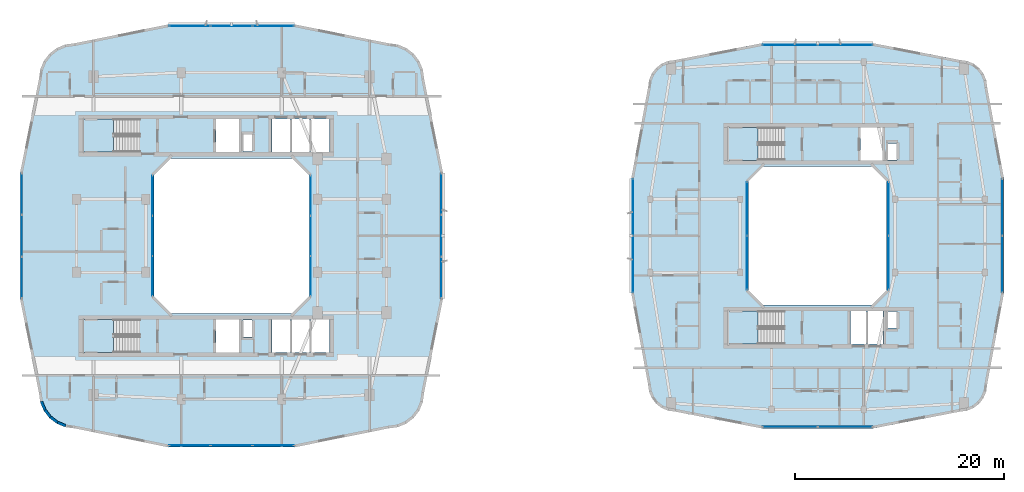
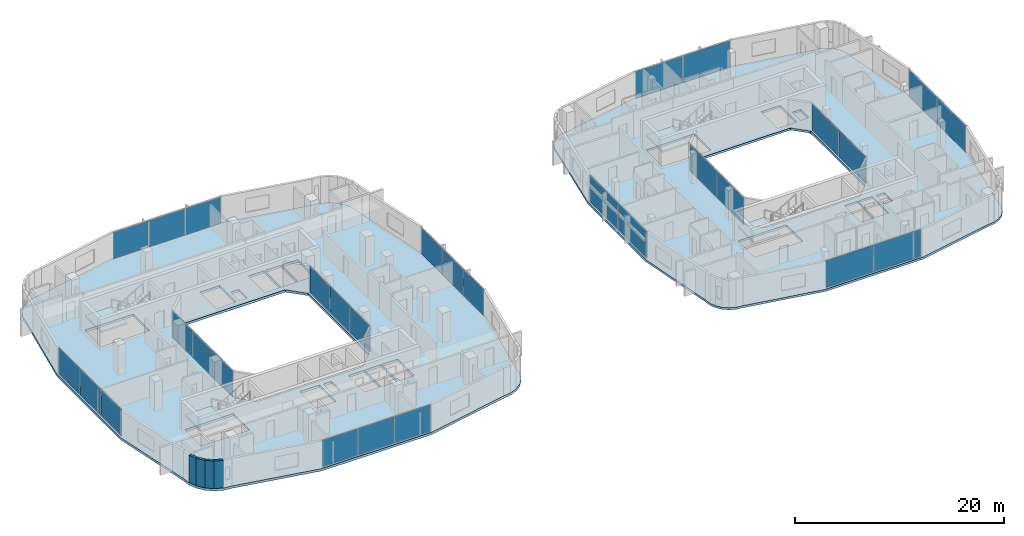
# One storey, part 11 of 26: 30 plates, 6 slabs, 4 walls, 16 elements without a shape of their own.
"""IFC4 building model written with IfcOpenShell, lengths in metres."""

from ifc_helpers import new_model, si_unit, derived_unit, direction, frame, frame_2d, origin, origin_2d, place, context, subcontext, project, spatial, polyline, rectangle, outline, extrude, material, layer, layer_set, type_object, element, aggregate, save


model = new_model("IFC4")

# Units and contexts
model_context = context("Model", 3, precision=1e-05, world=origin(), true_north=direction((0.0, 1.0)))
body_context = subcontext(model_context, "Body", "Model", "MODEL_VIEW")
ifc_project = project(units=[si_unit("LENGTHUNIT", "METRE"), si_unit("AREAUNIT", "SQUARE_METRE"), si_unit("VOLUMEUNIT", "CUBIC_METRE"), si_unit("PLANEANGLEUNIT", "RADIAN"), si_unit("MASSUNIT", "GRAM", prefix="KILO"), derived_unit("THERMALTRANSMITTANCEUNIT", [(si_unit("POWERUNIT", "WATT"), 1), (si_unit("LENGTHUNIT", "METRE"), -2), (si_unit("THERMODYNAMICTEMPERATUREUNIT", "KELVIN"), -1)])], contexts=[model_context])

# Site, building, storey
site_placement = place(None, origin())
site = spatial("IfcSite", under=ifc_project, at=site_placement, CompositionType="ELEMENT")
building_placement = place(site_placement, origin())
building = spatial("IfcBuilding", under=site, at=building_placement, Name="Kivonza Crest Hotel", CompositionType="ELEMENT")
storey_placement = place(building_placement, frame((0.0, 0.0, 127.5)))
storey = spatial("IfcBuildingStorey", under=building, at=storey_placement, Name="L34", CompositionType="ELEMENT", Elevation=127.5)

# Curtain wall, plates
ifc_material_1 = material(Name="Anodised bronze aluminium and low-E double glazing", Category="aluminium")
ifc_layer_1 = layer(ifc_material_1, 0.159912109375)
ifc_layer_set_1 = layer_set([ifc_layer_1], Name="Anodised bronze aluminium and low-E double glazing")
curtain_wall_type_1 = type_object("IfcCurtainWallType", Name="CW-SYS-5", PredefinedType="NOTDEFINED", material=ifc_layer_set_1)
curtain_wall_1_placement = place(storey_placement, origin())
curtain_wall_1 = element("IfcCurtainWall", 1, at=curtain_wall_1_placement, inside=storey, type_object=curtain_wall_type_1, Name="L34 unitised curtain wall CW-WELL-T1-L34-3", PredefinedType="NOTDEFINED")
ifc_material_2 = material(Name="Solar-control low-E double glazing", Category="glass")
ifc_layer_2 = layer(ifc_material_2, 0.028076171875)
ifc_layer_set_2 = layer_set([ifc_layer_2], Name="Solar-control low-E double glazing")
plate_type_1 = type_object("IfcPlateType", Name="CW-PNL-28", PredefinedType="CURTAIN_PANEL", material=ifc_layer_set_2)
plate_1_placement = place(storey_placement, frame((28.56005859375, 21.149658203125, 0.06494140625), z_axis=(0.0, 0.0, 1.0), x_axis=(0.0, 1.0, 0.0)))
plate_1 = element("IfcPlate", 2, at=plate_1_placement, type_object=plate_type_1, Name="CW-5 panel 1.1", PredefinedType="CURTAIN_PANEL", context=body_context, shape_type="SweptSolid", body=[
    extrude(rectangle(XDim=3.769287109375, YDim=0.028076171875, at=origin_2d()), origin(), (0.0, 0.0, 1.0), 3.090087890625),
])
plate_2_placement = place(storey_placement, frame((28.56005859375, 25.0, 0.06494140625), z_axis=(0.0, 0.0, 1.0), x_axis=(0.0, 1.0, 0.0)))
plate_2 = element("IfcPlate", 3, at=plate_2_placement, type_object=plate_type_1, Name="CW-5 panel 2.1", PredefinedType="CURTAIN_PANEL", context=body_context, shape_type="SweptSolid", body=[
    extrude(rectangle(XDim=3.8017578125, YDim=0.028076171875, at=origin_2d()), origin(), (0.0, 0.0, 1.0), 3.090087890625),
])
plate_3_placement = place(storey_placement, frame((28.56005859375, 28.850341796875, 0.06494140625), z_axis=(0.0, 0.0, 1.0), x_axis=(0.0, 1.0, 0.0)))
plate_3 = element("IfcPlate", 4, at=plate_3_placement, type_object=plate_type_1, Name="CW-5 panel 3.1", PredefinedType="CURTAIN_PANEL", context=body_context, shape_type="SweptSolid", body=[
    extrude(rectangle(XDim=3.769287109375, YDim=0.028076171875, at=origin_2d()), origin(), (0.0, 0.0, 1.0), 3.090087890625),
])
aggregate(curtain_wall_1, [plate_1, plate_2, plate_3])

curtain_wall_2_placement = place(storey_placement, origin())
curtain_wall_2 = element("IfcCurtainWall", 5, at=curtain_wall_2_placement, inside=storey, type_object=curtain_wall_type_1, Name="L34 unitised curtain wall CW-WELL-T1-L34-7", PredefinedType="NOTDEFINED")
plate_4_placement = place(storey_placement, frame((13.43994140625, 28.850341796875, 0.06494140625), z_axis=(0.0, 0.0, 1.0), x_axis=(0.0, -1.0, 0.0)))
plate_4 = element("IfcPlate", 6, at=plate_4_placement, type_object=plate_type_1, Name="CW-5 panel 1.1", PredefinedType="CURTAIN_PANEL", context=body_context, shape_type="SweptSolid", body=[
    extrude(rectangle(XDim=3.769287109375, YDim=0.028076171875, at=origin_2d()), origin(), (0.0, 0.0, 1.0), 3.090087890625),
])
plate_5_placement = place(storey_placement, frame((13.43994140625, 25.0, 0.06494140625), z_axis=(0.0, 0.0, 1.0), x_axis=(0.0, -1.0, 0.0)))
plate_5 = element("IfcPlate", 7, at=plate_5_placement, type_object=plate_type_1, Name="CW-5 panel 2.1", PredefinedType="CURTAIN_PANEL", context=body_context, shape_type="SweptSolid", body=[
    extrude(rectangle(XDim=3.8017578125, YDim=0.028076171875, at=origin_2d()), origin(), (0.0, 0.0, 1.0), 3.090087890625),
])
plate_6_placement = place(storey_placement, frame((13.43994140625, 21.149658203125, 0.06494140625), z_axis=(0.0, 0.0, 1.0), x_axis=(0.0, -1.0, 0.0)))
plate_6 = element("IfcPlate", 8, at=plate_6_placement, type_object=plate_type_1, Name="CW-5 panel 3.1", PredefinedType="CURTAIN_PANEL", context=body_context, shape_type="SweptSolid", body=[
    extrude(rectangle(XDim=3.769287109375, YDim=0.028076171875, at=origin_2d()), origin(), (0.0, 0.0, 1.0), 3.090087890625),
])
aggregate(curtain_wall_2, [plate_4, plate_5, plate_6])

ifc_layer_3 = layer(ifc_material_1, 0.179931640625)
ifc_layer_set_3 = layer_set([ifc_layer_3], Name="Anodised bronze aluminium and low-E double glazing")
curtain_wall_type_2 = type_object("IfcCurtainWallType", Name="CW-SYS-4", PredefinedType="NOTDEFINED", material=ifc_layer_set_3)
curtain_wall_3_placement = place(storey_placement, origin())
curtain_wall_3 = element("IfcCurtainWall", 9, at=curtain_wall_3_placement, inside=storey, type_object=curtain_wall_type_2, Name="L34 unitised curtain wall CW-T2-L34-08", PredefinedType="NOTDEFINED")
plate_7_placement = place(storey_placement, frame((74.3662109375, 6.760009765625, 0.06494140625), z_axis=(0.0, 0.0, 1.0), x_axis=(1.0, 0.0, 0.0)))
plate_7 = element("IfcPlate", 10, at=plate_7_placement, type_object=plate_type_1, Name="CW-4 panel 1.1", PredefinedType="CURTAIN_PANEL", context=body_context, shape_type="SweptSolid", body=[
    extrude(rectangle(XDim=5.202392578125, YDim=0.028076171875, at=origin_2d()), origin(), (0.0, 0.0, 1.0), 3.1201171875),
])
plate_8_placement = place(storey_placement, frame((79.6337890625, 6.760009765625, 0.06494140625), z_axis=(0.0, 0.0, 1.0), x_axis=(1.0, 0.0, 0.0)))
plate_8 = element("IfcPlate", 11, at=plate_8_placement, type_object=plate_type_1, Name="CW-4 panel 2.1", PredefinedType="CURTAIN_PANEL", context=body_context, shape_type="SweptSolid", body=[
    extrude(rectangle(XDim=5.202392578125, YDim=0.028076171875, at=origin_2d()), origin(), (0.0, 0.0, 1.0), 3.1201171875),
])
aggregate(curtain_wall_3, [plate_7, plate_8])

curtain_wall_4_placement = place(storey_placement, origin())
curtain_wall_4 = element("IfcCurtainWall", 12, at=curtain_wall_4_placement, inside=storey, type_object=curtain_wall_type_2, Name="L34 unitised curtain wall CW-T2-L34-17", PredefinedType="NOTDEFINED")
plate_9_placement = place(storey_placement, frame((94.639892578125, 22.2763671875, 0.06494140625), z_axis=(0.0, 0.0, 1.0), x_axis=(0.0, 1.0, 0.0)))
plate_9 = element("IfcPlate", 13, at=plate_9_placement, type_object=plate_type_1, Name="CW-4 panel 1.1", PredefinedType="CURTAIN_PANEL", context=body_context, shape_type="SweptSolid", body=[
    extrude(rectangle(XDim=5.382568359375, YDim=0.028076171875, at=origin_2d()), origin(), (0.0, 0.0, 1.0), 3.1201171875),
])
plate_10_placement = place(storey_placement, frame((94.639892578125, 27.7236328125, 0.06494140625), z_axis=(0.0, 0.0, 1.0), x_axis=(0.0, 1.0, 0.0)))
plate_10 = element("IfcPlate", 14, at=plate_10_placement, type_object=plate_type_1, Name="CW-4 panel 2.1", PredefinedType="CURTAIN_PANEL", context=body_context, shape_type="SweptSolid", body=[
    extrude(rectangle(XDim=5.382568359375, YDim=0.028076171875, at=origin_2d()), origin(), (0.0, 0.0, 1.0), 3.1201171875),
])
aggregate(curtain_wall_4, [plate_9, plate_10])

curtain_wall_5_placement = place(storey_placement, origin())
curtain_wall_5 = element("IfcCurtainWall", 15, at=curtain_wall_5_placement, inside=storey, type_object=curtain_wall_type_2, Name="L34 unitised curtain wall CW-T2-L34-26", PredefinedType="NOTDEFINED")
plate_11_placement = place(storey_placement, frame((79.6337890625, 43.239990234375, 0.06494140625), z_axis=(0.0, 0.0, 1.0), x_axis=(-1.0, 0.0, 0.0)))
plate_11 = element("IfcPlate", 16, at=plate_11_placement, type_object=plate_type_1, Name="CW-4 panel 1.1", PredefinedType="CURTAIN_PANEL", context=body_context, shape_type="SweptSolid", body=[
    extrude(rectangle(XDim=5.202392578125, YDim=0.028076171875, at=origin_2d()), origin(), (0.0, 0.0, 1.0), 3.1201171875),
])
plate_12_placement = place(storey_placement, frame((74.3662109375, 43.239990234375, 0.06494140625), z_axis=(0.0, 0.0, 1.0), x_axis=(-1.0, 0.0, 0.0)))
plate_12 = element("IfcPlate", 17, at=plate_12_placement, type_object=plate_type_1, Name="CW-4 panel 2.1", PredefinedType="CURTAIN_PANEL", context=body_context, shape_type="SweptSolid", body=[
    extrude(rectangle(XDim=5.202392578125, YDim=0.028076171875, at=origin_2d()), origin(), (0.0, 0.0, 1.0), 3.1201171875),
])
aggregate(curtain_wall_5, [plate_11, plate_12])

curtain_wall_6_placement = place(storey_placement, origin())
curtain_wall_6 = element("IfcCurtainWall", 18, at=curtain_wall_6_placement, inside=storey, type_object=curtain_wall_type_2, Name="L34 unitised curtain wall CW-T2-L34-35", PredefinedType="NOTDEFINED")
plate_13_placement = place(storey_placement, frame((59.360107421875, 27.7236328125, 0.06494140625), z_axis=(0.0, 0.0, 1.0), x_axis=(0.0, -1.0, 0.0)))
plate_13 = element("IfcPlate", 19, at=plate_13_placement, type_object=plate_type_1, Name="CW-4 panel 1.1", PredefinedType="CURTAIN_PANEL", context=body_context, shape_type="SweptSolid", body=[
    extrude(rectangle(XDim=5.382568359375, YDim=0.028076171875, at=origin_2d()), origin(), (0.0, 0.0, 1.0), 3.1201171875),
])
plate_14_placement = place(storey_placement, frame((59.360107421875, 22.2763671875, 0.06494140625), z_axis=(0.0, 0.0, 1.0), x_axis=(0.0, -1.0, 0.0)))
plate_14 = element("IfcPlate", 20, at=plate_14_placement, type_object=plate_type_1, Name="CW-4 panel 2.1", PredefinedType="CURTAIN_PANEL", context=body_context, shape_type="SweptSolid", body=[
    extrude(rectangle(XDim=5.382568359375, YDim=0.028076171875, at=origin_2d()), origin(), (0.0, 0.0, 1.0), 3.1201171875),
])
aggregate(curtain_wall_6, [plate_13, plate_14])

curtain_wall_7_placement = place(storey_placement, origin())
curtain_wall_7 = element("IfcCurtainWall", 21, at=curtain_wall_7_placement, inside=storey, type_object=curtain_wall_type_1, Name="L34 unitised curtain wall CW-WELL-T2-L34-3", PredefinedType="NOTDEFINED")
plate_15_placement = place(storey_placement, frame((83.760009765625, 22.416259765625, 0.06494140625), z_axis=(0.0, 0.0, 1.0), x_axis=(0.0, 1.0, 0.0)))
plate_15 = element("IfcPlate", 22, at=plate_15_placement, type_object=plate_type_1, Name="CW-5 panel 1.1", PredefinedType="CURTAIN_PANEL", context=body_context, shape_type="SweptSolid", body=[
    extrude(rectangle(XDim=5.1025390625, YDim=0.028076171875, at=origin_2d()), origin(), (0.0, 0.0, 1.0), 3.1201171875),
])
plate_16_placement = place(storey_placement, frame((83.760009765625, 27.583740234375, 0.06494140625), z_axis=(0.0, 0.0, 1.0), x_axis=(0.0, 1.0, 0.0)))
plate_16 = element("IfcPlate", 23, at=plate_16_placement, type_object=plate_type_1, Name="CW-5 panel 2.1", PredefinedType="CURTAIN_PANEL", context=body_context, shape_type="SweptSolid", body=[
    extrude(rectangle(XDim=5.1025390625, YDim=0.028076171875, at=origin_2d()), origin(), (0.0, 0.0, 1.0), 3.1201171875),
])
aggregate(curtain_wall_7, [plate_15, plate_16])

curtain_wall_8_placement = place(storey_placement, origin())
curtain_wall_8 = element("IfcCurtainWall", 24, at=curtain_wall_8_placement, inside=storey, type_object=curtain_wall_type_1, Name="L34 unitised curtain wall CW-WELL-T2-L34-7", PredefinedType="NOTDEFINED")
plate_17_placement = place(storey_placement, frame((70.239990234375, 27.583740234375, 0.06494140625), z_axis=(0.0, 0.0, 1.0), x_axis=(0.0, -1.0, 0.0)))
plate_17 = element("IfcPlate", 25, at=plate_17_placement, type_object=plate_type_1, Name="CW-5 panel 1.1", PredefinedType="CURTAIN_PANEL", context=body_context, shape_type="SweptSolid", body=[
    extrude(rectangle(XDim=5.1025390625, YDim=0.028076171875, at=origin_2d()), origin(), (0.0, 0.0, 1.0), 3.1201171875),
])
plate_18_placement = place(storey_placement, frame((70.239990234375, 22.416259765625, 0.06494140625), z_axis=(0.0, 0.0, 1.0), x_axis=(0.0, -1.0, 0.0)))
plate_18 = element("IfcPlate", 26, at=plate_18_placement, type_object=plate_type_1, Name="CW-5 panel 2.1", PredefinedType="CURTAIN_PANEL", context=body_context, shape_type="SweptSolid", body=[
    extrude(rectangle(XDim=5.1025390625, YDim=0.028076171875, at=origin_2d()), origin(), (0.0, 0.0, 1.0), 3.1201171875),
])
aggregate(curtain_wall_8, [plate_17, plate_18])

ifc_layer_4 = layer(ifc_material_1, 0.179931640625)
ifc_layer_set_4 = layer_set([ifc_layer_4], Name="Anodised bronze aluminium and low-E double glazing")
curtain_wall_type_3 = type_object("IfcCurtainWallType", Name="CW-SYS-3", PredefinedType="NOTDEFINED", material=ifc_layer_set_4)
curtain_wall_9_placement = place(storey_placement, origin())
curtain_wall_9 = element("IfcCurtainWall", 27, at=curtain_wall_9_placement, inside=storey, type_object=curtain_wall_type_3, Name="L34 unitised curtain wall CW-T1-L34-08", PredefinedType="NOTDEFINED")
ifc_material_3 = material(Name="Acoustic triple-laminated low-E glazing", Category="glass")
ifc_layer_5 = layer(ifc_material_3, 0.035888671875)
ifc_layer_set_5 = layer_set([ifc_layer_5], Name="Acoustic triple-laminated low-E glazing")
plate_type_2 = type_object("IfcPlateType", Name="CW-PNL-36", PredefinedType="CURTAIN_PANEL", material=ifc_layer_set_5)
plate_19_placement = place(storey_placement, frame((17.00537109375, 4.9599609375, 0.0751953125), z_axis=(0.0, 0.0, 1.0), x_axis=(1.0, 0.0, 0.0)))
plate_19 = element("IfcPlate", 28, at=plate_19_placement, type_object=plate_type_2, Name="CW-3 panel 1.1", PredefinedType="CURTAIN_PANEL", context=body_context, shape_type="SweptSolid", body=[
    extrude(rectangle(XDim=3.90087890625, YDim=0.035888671875, at=origin_2d()), origin(), (0.0, 0.0, 1.0), 3.070068359375),
])
plate_20_placement = place(storey_placement, frame((21.0, 4.9599609375, 0.0751953125), z_axis=(0.0, 0.0, 1.0), x_axis=(1.0, 0.0, 0.0)))
plate_20 = element("IfcPlate", 29, at=plate_20_placement, type_object=plate_type_2, Name="CW-3 panel 2.1", PredefinedType="CURTAIN_PANEL", context=body_context, shape_type="SweptSolid", body=[
    extrude(rectangle(XDim=3.938232421875, YDim=0.035888671875, at=origin_2d()), origin(), (0.0, 0.0, 1.0), 3.070068359375),
])
plate_21_placement = place(storey_placement, frame((24.99462890625, 4.9599609375, 0.0751953125), z_axis=(0.0, 0.0, 1.0), x_axis=(1.0, 0.0, 0.0)))
plate_21 = element("IfcPlate", 30, at=plate_21_placement, type_object=plate_type_2, Name="CW-3 panel 3.1", PredefinedType="CURTAIN_PANEL", context=body_context, shape_type="SweptSolid", body=[
    extrude(rectangle(XDim=3.90087890625, YDim=0.035888671875, at=origin_2d()), origin(), (0.0, 0.0, 1.0), 3.070068359375),
])
aggregate(curtain_wall_9, [plate_19, plate_20, plate_21])

curtain_wall_10_placement = place(storey_placement, origin())
curtain_wall_10 = element("IfcCurtainWall", 31, at=curtain_wall_10_placement, inside=storey, type_object=curtain_wall_type_3, Name="L34 unitised curtain wall CW-T1-L34-17", PredefinedType="NOTDEFINED")
plate_22_placement = place(storey_placement, frame((41.0400390625, 21.00537109375, 0.0751953125), z_axis=(0.0, 0.0, 1.0), x_axis=(0.0, 1.0, 0.0)))
plate_22 = element("IfcPlate", 32, at=plate_22_placement, type_object=plate_type_2, Name="CW-3 panel 1.1", PredefinedType="CURTAIN_PANEL", context=body_context, shape_type="SweptSolid", body=[
    extrude(rectangle(XDim=3.90087890625, YDim=0.035888671875, at=origin_2d()), origin(), (0.0, 0.0, 1.0), 3.070068359375),
])
plate_23_placement = place(storey_placement, frame((41.0400390625, 25.0, 0.0751953125), z_axis=(0.0, 0.0, 1.0), x_axis=(0.0, 1.0, 0.0)))
plate_23 = element("IfcPlate", 33, at=plate_23_placement, type_object=plate_type_2, Name="CW-3 panel 2.1", PredefinedType="CURTAIN_PANEL", context=body_context, shape_type="SweptSolid", body=[
    extrude(rectangle(XDim=3.938232421875, YDim=0.035888671875, at=origin_2d()), origin(), (0.0, 0.0, 1.0), 3.070068359375),
])
plate_24_placement = place(storey_placement, frame((41.0400390625, 28.99462890625, 0.0751953125), z_axis=(0.0, 0.0, 1.0), x_axis=(0.0, 1.0, 0.0)))
plate_24 = element("IfcPlate", 34, at=plate_24_placement, type_object=plate_type_2, Name="CW-3 panel 3.1", PredefinedType="CURTAIN_PANEL", context=body_context, shape_type="SweptSolid", body=[
    extrude(rectangle(XDim=3.90087890625, YDim=0.035888671875, at=origin_2d()), origin(), (0.0, 0.0, 1.0), 3.070068359375),
])
aggregate(curtain_wall_10, [plate_22, plate_23, plate_24])

curtain_wall_11_placement = place(storey_placement, origin())
curtain_wall_11 = element("IfcCurtainWall", 35, at=curtain_wall_11_placement, inside=storey, type_object=curtain_wall_type_3, Name="L34 unitised curtain wall CW-T1-L34-26", PredefinedType="NOTDEFINED")
plate_25_placement = place(storey_placement, frame((24.99462890625, 45.0400390625, 0.0751953125), z_axis=(0.0, 0.0, 1.0), x_axis=(-1.0, 0.0, 0.0)))
plate_25 = element("IfcPlate", 36, at=plate_25_placement, type_object=plate_type_2, Name="CW-3 panel 1.1", PredefinedType="CURTAIN_PANEL", context=body_context, shape_type="SweptSolid", body=[
    extrude(rectangle(XDim=3.90087890625, YDim=0.035888671875, at=origin_2d()), origin(), (0.0, 0.0, 1.0), 3.070068359375),
])
plate_26_placement = place(storey_placement, frame((21.0, 45.0400390625, 0.0751953125), z_axis=(0.0, 0.0, 1.0), x_axis=(-1.0, 0.0, 0.0)))
plate_26 = element("IfcPlate", 37, at=plate_26_placement, type_object=plate_type_2, Name="CW-3 panel 2.1", PredefinedType="CURTAIN_PANEL", context=body_context, shape_type="SweptSolid", body=[
    extrude(rectangle(XDim=3.938232421875, YDim=0.035888671875, at=origin_2d()), origin(), (0.0, 0.0, 1.0), 3.070068359375),
])
plate_27_placement = place(storey_placement, frame((17.00537109375, 45.0400390625, 0.0751953125), z_axis=(0.0, 0.0, 1.0), x_axis=(-1.0, 0.0, 0.0)))
plate_27 = element("IfcPlate", 38, at=plate_27_placement, type_object=plate_type_2, Name="CW-3 panel 3.1", PredefinedType="CURTAIN_PANEL", context=body_context, shape_type="SweptSolid", body=[
    extrude(rectangle(XDim=3.90087890625, YDim=0.035888671875, at=origin_2d()), origin(), (0.0, 0.0, 1.0), 3.070068359375),
])
aggregate(curtain_wall_11, [plate_25, plate_26, plate_27])

curtain_wall_12_placement = place(storey_placement, origin())
curtain_wall_12 = element("IfcCurtainWall", 39, at=curtain_wall_12_placement, inside=storey, type_object=curtain_wall_type_3, Name="L34 unitised curtain wall CW-T1-L34-35", PredefinedType="NOTDEFINED")
plate_28_placement = place(storey_placement, frame((0.9599609375, 28.99462890625, 0.0751953125), z_axis=(0.0, 0.0, 1.0), x_axis=(0.0, -1.0, 0.0)))
plate_28 = element("IfcPlate", 40, at=plate_28_placement, type_object=plate_type_2, Name="CW-3 panel 1.1", PredefinedType="CURTAIN_PANEL", context=body_context, shape_type="SweptSolid", body=[
    extrude(rectangle(XDim=3.90087890625, YDim=0.035888671875, at=origin_2d()), origin(), (0.0, 0.0, 1.0), 3.070068359375),
])
plate_29_placement = place(storey_placement, frame((0.9599609375, 25.0, 0.0751953125), z_axis=(0.0, 0.0, 1.0), x_axis=(0.0, -1.0, 0.0)))
plate_29 = element("IfcPlate", 41, at=plate_29_placement, type_object=plate_type_2, Name="CW-3 panel 2.1", PredefinedType="CURTAIN_PANEL", context=body_context, shape_type="SweptSolid", body=[
    extrude(rectangle(XDim=3.938232421875, YDim=0.035888671875, at=origin_2d()), origin(), (0.0, 0.0, 1.0), 3.070068359375),
])
plate_30_placement = place(storey_placement, frame((0.9599609375, 21.00537109375, 0.0751953125), z_axis=(0.0, 0.0, 1.0), x_axis=(0.0, -1.0, 0.0)))
plate_30 = element("IfcPlate", 42, at=plate_30_placement, type_object=plate_type_2, Name="CW-3 panel 3.1", PredefinedType="CURTAIN_PANEL", context=body_context, shape_type="SweptSolid", body=[
    extrude(rectangle(XDim=3.90087890625, YDim=0.035888671875, at=origin_2d()), origin(), (0.0, 0.0, 1.0), 3.070068359375),
])
aggregate(curtain_wall_12, [plate_28, plate_29, plate_30])

# Slab
ifc_material_4 = material(Name="Concrete C40/50", Category="concrete")
ifc_layer_6 = layer(ifc_material_4, 0.280029296875)
ifc_layer_set_6 = layer_set([ifc_layer_6], Name="Concrete C40/50")
slab_type_1 = type_object("IfcSlabType", Name="SL-HTL-280", PredefinedType="FLOOR", material=ifc_layer_set_6)
slab_1_placement = place(storey_placement, frame((0.0, 0.0, -0.280029296875)))
element("IfcSlab", 43, at=slab_1_placement, inside=storey, type_object=slab_type_1, Name="Tower T1 L34 floor slab", PredefinedType="FLOOR", context=body_context, shape_type="SweptSolid", body=[
    extrude(outline(polyline([(2.60009765625, 10.0), (2.716064453125, 9.1201171875), (3.055908203125, 8.300048828125), (3.595947265625, 7.595947265625), (4.300048828125, 7.055908203125), (5.1201171875, 6.716064453125), (6.0, 6.60009765625), (14.93994140625, 4.800048828125), (27.06005859375, 4.800048828125), (36.0, 6.60009765625), (36.8798828125, 6.716064453125), (37.699951171875, 7.055908203125), (38.404052734375, 7.595947265625), (38.944091796875, 8.300048828125), (39.283935546875, 9.1201171875), (39.39990234375, 10.0), (41.199951171875, 18.93994140625), (41.199951171875, 31.06005859375), (39.39990234375, 40.0), (39.283935546875, 40.8798828125), (38.944091796875, 41.699951171875), (38.404052734375, 42.404052734375), (37.699951171875, 42.944091796875), (36.8798828125, 43.283935546875), (36.0, 43.39990234375), (27.06005859375, 45.199951171875), (14.93994140625, 45.199951171875), (6.0, 43.39990234375), (5.1201171875, 43.283935546875), (4.300048828125, 42.944091796875), (3.595947265625, 42.404052734375), (3.055908203125, 41.699951171875), (2.716064453125, 40.8798828125), (2.60009765625, 40.0), (0.800048828125, 31.06005859375), (0.800048828125, 18.93994140625), (2.60009765625, 10.0)]), holes=[polyline([(15.199951171875, 17.60009765625), (26.800048828125, 17.60009765625), (28.39990234375, 19.199951171875), (28.39990234375, 30.800048828125), (26.800048828125, 32.39990234375), (15.199951171875, 32.39990234375), (13.60009765625, 30.800048828125), (13.60009765625, 19.199951171875), (15.199951171875, 17.60009765625)]), polyline([(6.800048828125, 33.02001953125), (12.159912109375, 33.02001953125), (12.159912109375, 36.159912109375), (6.800048828125, 36.159912109375), (6.800048828125, 33.02001953125)]), polyline([(6.800048828125, 13.860107421875), (12.159912109375, 13.860107421875), (12.159912109375, 17.0), (6.800048828125, 17.0), (6.800048828125, 13.860107421875)]), polyline([(22.080078125, 33.0400390625), (22.969970703125, 33.0400390625), (22.969970703125, 34.679931640625), (22.080078125, 34.679931640625), (22.080078125, 33.0400390625)]), polyline([(22.080078125, 15.320068359375), (22.969970703125, 15.320068359375), (22.969970703125, 16.9599609375), (22.080078125, 16.9599609375), (22.080078125, 15.320068359375)]), polyline([(19.5, 33.0), (21.699951171875, 33.0), (21.699951171875, 36.159912109375), (19.5, 36.159912109375), (19.5, 33.0)]), polyline([(24.860107421875, 33.0), (26.60693359375, 33.0), (26.60693359375, 36.159912109375), (24.860107421875, 36.159912109375), (24.860107421875, 33.0)]), polyline([(26.72705078125, 33.0), (28.472900390625, 33.0), (28.472900390625, 36.159912109375), (26.72705078125, 36.159912109375), (26.72705078125, 33.0)]), polyline([(28.593017578125, 33.0), (30.340087890625, 33.0), (30.340087890625, 36.159912109375), (28.593017578125, 36.159912109375), (28.593017578125, 33.0)]), polyline([(19.5, 13.840087890625), (21.699951171875, 13.840087890625), (21.699951171875, 17.0), (19.5, 17.0), (19.5, 13.840087890625)]), polyline([(24.860107421875, 13.840087890625), (26.60693359375, 13.840087890625), (26.60693359375, 17.0), (24.860107421875, 17.0), (24.860107421875, 13.840087890625)]), polyline([(26.72705078125, 13.840087890625), (28.472900390625, 13.840087890625), (28.472900390625, 17.0), (26.72705078125, 17.0), (26.72705078125, 13.840087890625)]), polyline([(28.593017578125, 13.840087890625), (30.340087890625, 13.840087890625), (30.340087890625, 17.0), (28.593017578125, 17.0), (28.593017578125, 13.840087890625)])]), origin(), (0.0, 0.0, 1.0), 0.280029296875),
])

# Stair, slab
stair_type = type_object("IfcStairType", Name="ST-DL-20R", PredefinedType="HALF_TURN_STAIR", material=ifc_material_4)
stair_1_placement = place(storey_placement, origin())
stair_1 = element("IfcStair", 44, at=stair_1_placement, inside=storey, type_object=stair_type, Name="L34 Protected Exit Stair ST-T1-N", PredefinedType="HALF_TURN_STAIR")
ifc_layer_7 = layer(ifc_material_4, 0.199951171875)
ifc_layer_set_7 = layer_set([ifc_layer_7], Name="Concrete C40/50")
slab_type_2 = type_object("IfcSlabType", Name="SL-LAND-200", PredefinedType="LANDING", material=ifc_layer_set_7)
slab_2_placement = place(storey_placement, frame((0.0, 0.0, 1.550048828125)))
slab_2 = element("IfcSlab", 45, at=slab_2_placement, type_object=slab_type_2, Name="ST-T1-N landing 1", PredefinedType="LANDING", context=body_context, shape_type="SweptSolid", body=[
    extrude(outline(polyline([(9.719970703125, 36.159912109375), (6.800048828125, 36.159912109375), (6.800048828125, 33.02001953125), (9.719970703125, 33.02001953125), (9.719970703125, 36.159912109375)])), origin(), (0.0, 0.0, 1.0), 0.199951171875),
])
aggregate(stair_1, [slab_2])

stair_2_placement = place(storey_placement, origin())
stair_2 = element("IfcStair", 46, at=stair_2_placement, inside=storey, type_object=stair_type, Name="L34 Protected Exit Stair ST-T1-S", PredefinedType="HALF_TURN_STAIR")
slab_3_placement = place(storey_placement, frame((0.0, 0.0, 1.550048828125)))
slab_3 = element("IfcSlab", 47, at=slab_3_placement, type_object=slab_type_2, Name="ST-T1-S landing 1", PredefinedType="LANDING", context=body_context, shape_type="SweptSolid", body=[
    extrude(outline(polyline([(9.719970703125, 17.0), (6.800048828125, 17.0), (6.800048828125, 13.860107421875), (9.719970703125, 13.860107421875), (9.719970703125, 17.0)])), origin(), (0.0, 0.0, 1.0), 0.199951171875),
])
aggregate(stair_2, [slab_3])

stair_3_placement = place(storey_placement, origin())
stair_3 = element("IfcStair", 48, at=stair_3_placement, inside=storey, type_object=stair_type, Name="L34 Protected Exit Stair ST-T2-N", PredefinedType="HALF_TURN_STAIR")
slab_4_placement = place(storey_placement, frame((0.0, 0.0, 1.550048828125)))
slab_4 = element("IfcSlab", 49, at=slab_4_placement, type_object=slab_type_2, Name="ST-T2-N landing 1", PredefinedType="LANDING", context=body_context, shape_type="SweptSolid", body=[
    extrude(outline(polyline([(71.320068359375, 35.360107421875), (68.39990234375, 35.360107421875), (68.39990234375, 32.219970703125), (71.320068359375, 32.219970703125), (71.320068359375, 35.360107421875)])), origin(), (0.0, 0.0, 1.0), 0.199951171875),
])
aggregate(stair_3, [slab_4])

stair_4_placement = place(storey_placement, origin())
stair_4 = element("IfcStair", 50, at=stair_4_placement, inside=storey, type_object=stair_type, Name="L34 Protected Exit Stair ST-T2-S", PredefinedType="HALF_TURN_STAIR")
slab_5_placement = place(storey_placement, frame((0.0, 0.0, 1.550048828125)))
slab_5 = element("IfcSlab", 51, at=slab_5_placement, type_object=slab_type_2, Name="ST-T2-S landing 1", PredefinedType="LANDING", context=body_context, shape_type="SweptSolid", body=[
    extrude(outline(polyline([(71.320068359375, 17.800048828125), (68.39990234375, 17.800048828125), (68.39990234375, 14.659912109375), (71.320068359375, 14.659912109375), (71.320068359375, 17.800048828125)])), origin(), (0.0, 0.0, 1.0), 0.199951171875),
])
aggregate(stair_4, [slab_5])

# Slab
ifc_layer_8 = layer(ifc_material_4, 0.25)
ifc_layer_set_8 = layer_set([ifc_layer_8], Name="Concrete C40/50")
slab_type_3 = type_object("IfcSlabType", Name="SL-RES-250", PredefinedType="FLOOR", material=ifc_layer_set_8)
slab_6_placement = place(storey_placement, frame((0.0, 0.0, -0.25)))
element("IfcSlab", 52, at=slab_6_placement, inside=storey, type_object=slab_type_3, Name="Companion Tower T2 L34 floor slab", PredefinedType="FLOOR", context=body_context, shape_type="SweptSolid", body=[
    extrude(outline(polyline([(60.800048828125, 10.800048828125), (60.888916015625, 10.126953125), (61.14794921875, 9.5), (61.56201171875, 8.9619140625), (62.10009765625, 8.548095703125), (62.72705078125, 8.2890625), (63.39990234375, 8.199951171875), (71.659912109375, 6.60009765625), (82.340087890625, 6.60009765625), (90.60009765625, 8.199951171875), (91.27294921875, 8.2890625), (91.89990234375, 8.548095703125), (92.43798828125, 8.9619140625), (92.85205078125, 9.5), (93.111083984375, 10.126953125), (93.199951171875, 10.800048828125), (94.800048828125, 19.47998046875), (94.800048828125, 30.52001953125), (93.199951171875, 39.199951171875), (93.111083984375, 39.873046875), (92.85205078125, 40.5), (92.43798828125, 41.0380859375), (91.89990234375, 41.451904296875), (91.27294921875, 41.7109375), (90.60009765625, 41.800048828125), (82.340087890625, 43.39990234375), (71.659912109375, 43.39990234375), (63.39990234375, 41.800048828125), (62.72705078125, 41.7109375), (62.10009765625, 41.451904296875), (61.56201171875, 41.0380859375), (61.14794921875, 40.5), (60.888916015625, 39.873046875), (60.800048828125, 39.199951171875), (59.199951171875, 30.52001953125), (59.199951171875, 19.47998046875), (60.800048828125, 10.800048828125)]), holes=[polyline([(71.800048828125, 18.39990234375), (82.199951171875, 18.39990234375), (83.60009765625, 19.800048828125), (83.60009765625, 30.199951171875), (82.199951171875, 31.60009765625), (71.800048828125, 31.60009765625), (70.39990234375, 30.199951171875), (70.39990234375, 19.800048828125), (71.800048828125, 18.39990234375)]), polyline([(68.39990234375, 32.219970703125), (73.760009765625, 32.219970703125), (73.760009765625, 35.360107421875), (68.39990234375, 35.360107421875), (68.39990234375, 32.219970703125)]), polyline([(68.39990234375, 14.659912109375), (73.760009765625, 14.659912109375), (73.760009765625, 17.800048828125), (68.39990234375, 17.800048828125), (68.39990234375, 14.659912109375)]), polyline([(83.679931640625, 32.239990234375), (84.570068359375, 32.239990234375), (84.570068359375, 33.820068359375), (83.679931640625, 33.820068359375), (83.679931640625, 32.239990234375)]), polyline([(83.679931640625, 16.179931640625), (84.570068359375, 16.179931640625), (84.570068359375, 17.760009765625), (83.679931640625, 17.760009765625), (83.679931640625, 16.179931640625)]), polyline([(81.10009765625, 32.199951171875), (83.199951171875, 32.199951171875), (83.199951171875, 35.360107421875), (81.10009765625, 35.360107421875), (81.10009765625, 32.199951171875)]), polyline([(80.159912109375, 14.639892578125), (81.639892578125, 14.639892578125), (81.639892578125, 17.800048828125), (80.159912109375, 17.800048828125), (80.159912109375, 14.639892578125)]), polyline([(81.760009765625, 14.639892578125), (83.239990234375, 14.639892578125), (83.239990234375, 17.800048828125), (81.760009765625, 17.800048828125), (81.760009765625, 14.639892578125)])]), origin(), (0.0, 0.0, 1.0), 0.25),
])

# Walls
ifc_material_5 = material(Name="Precast concrete C40/50", Category="concrete")
ifc_layer_9 = layer(ifc_material_5, 0.260009765625)
ifc_layer_set_9 = layer_set([ifc_layer_9], Name="Precast concrete C40/50")
wall_type = type_object("IfcWallType", Name="WL-EXT-260", PredefinedType="STANDARD", material=ifc_layer_set_9)
wall_1_placement = place(storey_placement, frame((2.825927734375, 9.193115234375, 0.0), z_axis=(0.0, 0.0, 1.0), x_axis=(0.383290660547, -0.923627776508, 0.0)))
element("IfcWall", 53, at=wall_1_placement, inside=storey, type_object=wall_type, Name="L34 T1 exterior insulated wall 2", PredefinedType="STANDARD", context=body_context, shape_type="SweptSolid", body=[
    extrude(rectangle(XDim=0.9033203125, YDim=0.260009765625, at=frame_2d((0.45166015625, 0.0))), origin(), (0.0, 0.0, 1.0), 3.219970703125),
])
wall_2_placement = place(storey_placement, frame((3.14404296875, 8.39892578125, 0.0), z_axis=(0.0, 0.0, 1.0), x_axis=(0.608624690463, -0.793458244748, 0.0)))
element("IfcWall", 54, at=wall_2_placement, inside=storey, type_object=wall_type, Name="L34 T1 exterior insulated wall 3", PredefinedType="STANDARD", context=body_context, shape_type="SweptSolid", body=[
    extrude(rectangle(XDim=0.902099609375, YDim=0.260009765625, at=frame_2d((0.451171875, 0.0))), origin(), (0.0, 0.0, 1.0), 3.219970703125),
])
wall_3_placement = place(storey_placement, frame((3.655029296875, 7.714111328125, 0.0), z_axis=(0.0, 0.0, 1.0), x_axis=(0.793558456666, -0.608494022858, 0.0)))
element("IfcWall", 55, at=wall_3_placement, inside=storey, type_object=wall_type, Name="L34 T1 exterior insulated wall 4", PredefinedType="STANDARD", context=body_context, shape_type="SweptSolid", body=[
    extrude(rectangle(XDim=0.90234375, YDim=0.260009765625, at=frame_2d((0.451171875, 0.0))), origin(), (0.0, 0.0, 1.0), 3.219970703125),
])
wall_4_placement = place(storey_placement, frame((4.326904296875, 7.18603515625, 0.0), z_axis=(0.0, 0.0, 1.0), x_axis=(0.923683767999, -0.383155708213, 0.0)))
element("IfcWall", 56, at=wall_4_placement, inside=storey, type_object=wall_type, Name="L34 T1 exterior insulated wall 5", PredefinedType="STANDARD", context=body_context, shape_type="SweptSolid", body=[
    extrude(rectangle(XDim=0.90283203125, YDim=0.260009765625, at=frame_2d((0.451416015625, 0.0))), origin(), (0.0, 0.0, 1.0), 3.219970703125),
])

save(model, "model.ifc")
